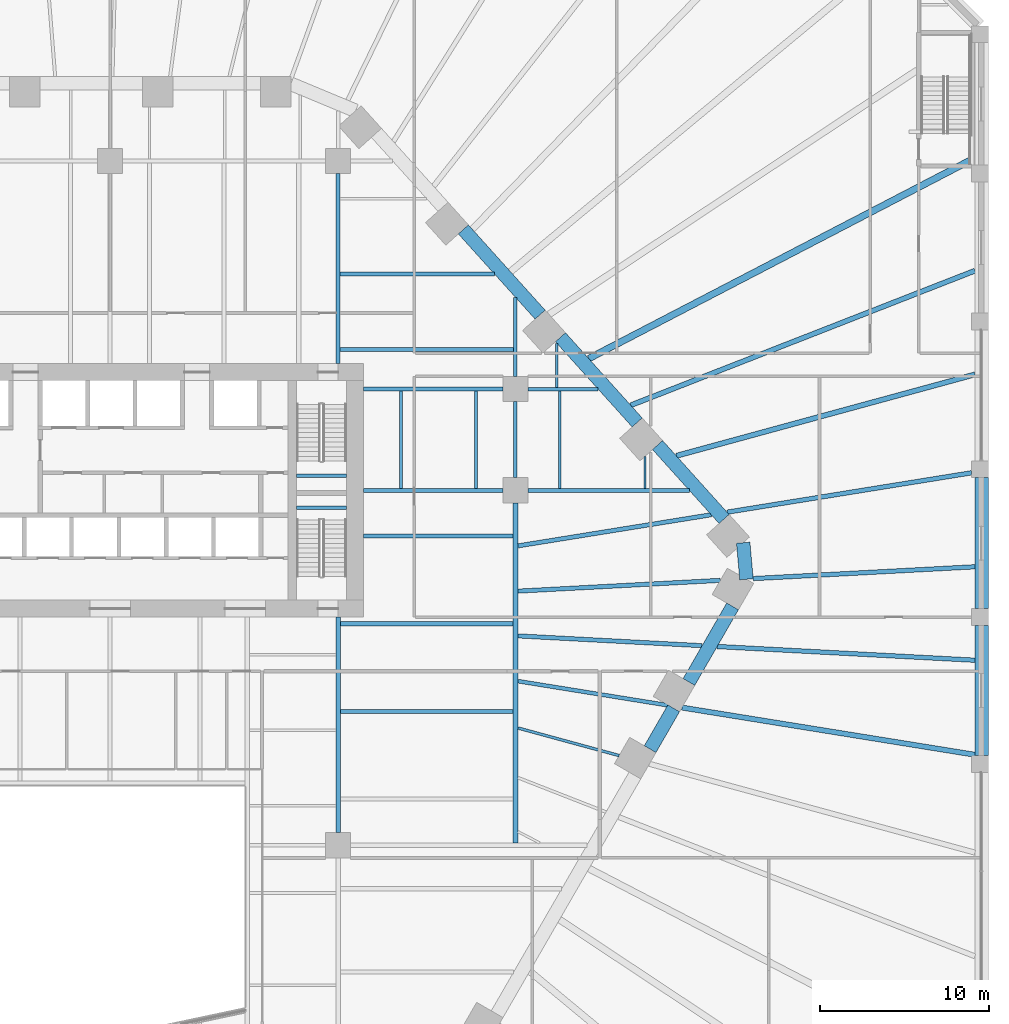
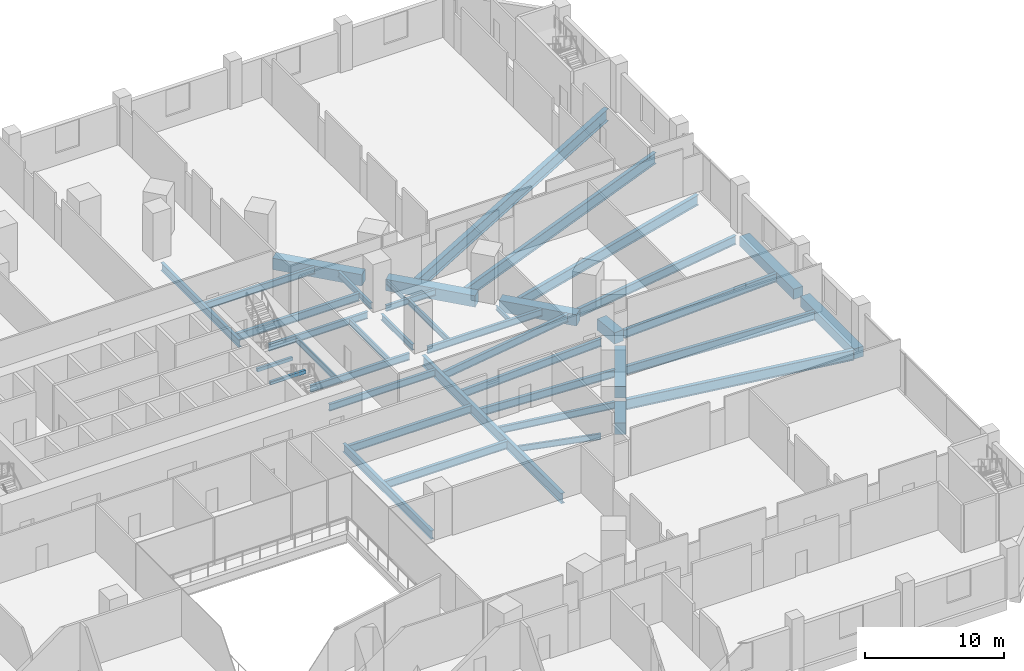
# One storey, part 9 of 29: 41 beams.
"""IFC4 building model written with IfcOpenShell, lengths in metres."""

from ifc_helpers import new_model, si_unit, direction, frame, origin, origin_2d, place, context, subcontext, project, spatial, rectangle, i_section, extrude, material, material_profile, profile_set, type_object, element, save


model = new_model("IFC4")

# Units and contexts
model_context = context("Model", 3, precision=1e-05, world=origin(), true_north=direction((0.0, 1.0)))
body_context = subcontext(model_context, "Body", "Model", "MODEL_VIEW")
ifc_project = project(units=[si_unit("LENGTHUNIT", "METRE"), si_unit("AREAUNIT", "SQUARE_METRE"), si_unit("VOLUMEUNIT", "CUBIC_METRE"), si_unit("PLANEANGLEUNIT", "RADIAN"), si_unit("MASSUNIT", "GRAM", prefix="KILO")], contexts=[model_context])

# Site, building, storey
site_placement = place(None, origin())
site = spatial("IfcSite", under=ifc_project, at=site_placement, CompositionType="ELEMENT")
building_placement = place(site_placement, origin())
building = spatial("IfcBuilding", under=site, at=building_placement, Name="Isthmus Gate Tower", CompositionType="ELEMENT")
storey_placement = place(building_placement, frame((0.0, 0.0, 27.0)))
storey = spatial("IfcBuildingStorey", under=building, at=storey_placement, Name="L04", CompositionType="ELEMENT", Elevation=27.0)

# Beams
ifc_material_1 = material(Name="Concrete f'c 70 MPa", Category="concrete")
ifc_material_profile_1 = material_profile(ifc_material_1, rectangle(XDim=0.800048828125, YDim=0.89990234375, at=origin_2d()), Name="RC 800X900")
ifc_profile_set_1 = profile_set([ifc_material_profile_1], Name="Concrete f'c 70 MPa")
beam_type_1 = type_object("IfcBeamType", Name="RC EDGE BEAM 800 X 900", PredefinedType="BEAM", material=ifc_profile_set_1)
beam_1_placement = place(storey_placement, frame((51.60009765625, 8.25, -0.75), z_axis=(0.0, -1.0, 0.0), x_axis=(1.0, 0.0, 0.0)))
element("IfcBeam", 1, at=beam_1_placement, inside=storey, type_object=beam_type_1, Name="str-edgebeam-L04-23", PredefinedType="BEAM", context=body_context, shape_type="SweptSolid", body=[
    extrude(rectangle(XDim=0.800048828125, YDim=0.89990234375, at=origin_2d()), origin(), (0.0, 0.0, 1.0), 7.75),
])
beam_2_placement = place(storey_placement, frame((51.60009765625, -0.5, -0.75), z_axis=(0.0, -1.0, 0.0), x_axis=(1.0, 0.0, 0.0)))
element("IfcBeam", 2, at=beam_2_placement, inside=storey, type_object=beam_type_1, Name="str-edgebeam-L04-24", PredefinedType="BEAM", context=body_context, shape_type="SweptSolid", body=[
    extrude(rectangle(XDim=0.800048828125, YDim=0.89990234375, at=origin_2d()), origin(), (0.0, 0.0, 1.0), 7.699951171875),
])
ifc_material_2 = material(Name="Concrete f'c 70 MPa", Category="concrete")
ifc_material_profile_2 = material_profile(ifc_material_2, rectangle(XDim=0.800048828125, YDim=1.0, at=origin_2d()), Name="RC 800X1000")
ifc_profile_set_2 = profile_set([ifc_material_profile_2], Name="Concrete f'c 70 MPa")
beam_type_2 = type_object("IfcBeamType", Name="RC TUBE RING BEAM 800 X 1000", PredefinedType="BEAM", material=ifc_profile_set_2)
beam_3_placement = place(storey_placement, frame((20.91748046875, 22.94921875, -0.800048828125), z_axis=(0.669135571547, -0.743140354772, 0.0), x_axis=(0.743140354772, 0.669135571547, 0.0)))
element("IfcBeam", 3, at=beam_3_placement, inside=storey, type_object=beam_type_2, Name="str-ringbeam-L04-02", PredefinedType="BEAM", context=body_context, shape_type="SweptSolid", body=[
    extrude(rectangle(XDim=0.800048828125, YDim=1.0, at=origin_2d()), origin(), (0.0, 0.0, 1.0), 6.789306640625),
])
beam_4_placement = place(storey_placement, frame((26.664794921875, 16.566162109375, -0.800048828125), z_axis=(0.669117690519, -0.743156454748, 0.0), x_axis=(0.743156454748, 0.669117690519, 0.0)))
element("IfcBeam", 4, at=beam_4_placement, inside=storey, type_object=beam_type_2, Name="str-ringbeam-L04-03", PredefinedType="BEAM", context=body_context, shape_type="SweptSolid", body=[
    extrude(rectangle(XDim=0.800048828125, YDim=1.0, at=origin_2d()), origin(), (0.0, 0.0, 1.0), 6.78955078125),
])
beam_5_placement = place(storey_placement, frame((32.412353515625, 10.182861328125, -0.800048828125), z_axis=(0.669138782017, -0.743137464001, 0.0), x_axis=(0.743137464001, 0.669138782017, 0.0)))
element("IfcBeam", 5, at=beam_5_placement, inside=storey, type_object=beam_type_2, Name="str-ringbeam-L04-04", PredefinedType="BEAM", context=body_context, shape_type="SweptSolid", body=[
    extrude(rectangle(XDim=0.800048828125, YDim=1.0, at=origin_2d()), origin(), (0.0, 0.0, 1.0), 5.88916015625),
])
beam_6_placement = place(storey_placement, frame((37.483154296875, 4.40185546875, -0.800048828125), z_axis=(0.089421511639, -0.995993872098, 0.0), x_axis=(0.995993872098, 0.089421511639, 0.0)))
element("IfcBeam", 6, at=beam_6_placement, inside=storey, type_object=beam_type_2, Name="str-ringbeam-L04-05", PredefinedType="BEAM", context=body_context, shape_type="SweptSolid", body=[
    extrude(rectangle(XDim=0.800048828125, YDim=1.0, at=origin_2d()), origin(), (0.0, 0.0, 1.0), 2.17333984375),
])
beam_7_placement = place(storey_placement, frame((36.8544921875, 0.6337890625, -0.800048828125), z_axis=(-0.50000453793, -0.866022783793, 0.0), x_axis=(0.866022783793, -0.50000453793, 0.0)))
element("IfcBeam", 7, at=beam_7_placement, inside=storey, type_object=beam_type_2, Name="str-ringbeam-L04-06", PredefinedType="BEAM", context=body_context, shape_type="SweptSolid", body=[
    extrude(rectangle(XDim=0.800048828125, YDim=1.0, at=origin_2d()), origin(), (0.0, 0.0, 1.0), 5.16943359375),
])
beam_8_placement = place(storey_placement, frame((33.369873046875, -5.40185546875, -0.800048828125), z_axis=(-0.500012514453, -0.866018178441, 0.0), x_axis=(0.866018178441, -0.500012514453, 0.0)))
element("IfcBeam", 8, at=beam_8_placement, inside=storey, type_object=beam_type_2, Name="str-ringbeam-L04-07", PredefinedType="BEAM", context=body_context, shape_type="SweptSolid", body=[
    extrude(rectangle(XDim=0.800048828125, YDim=1.0, at=origin_2d()), origin(), (0.0, 0.0, 1.0), 2.79296875),
])
ifc_material_3 = material(Name="Concrete f'c 40 MPa", Category="concrete")
ifc_material_profile_3 = material_profile(ifc_material_3, rectangle(XDim=0.199951171875, YDim=0.300048828125, at=origin_2d()), Name="STAIR LANDING BEAM RC 200 X 300")
ifc_profile_set_3 = profile_set([ifc_material_profile_3], Name="Concrete f'c 40 MPa")
beam_type_3 = type_object("IfcBeamType", Name="STAIR LANDING BEAM RC 200 X 300", PredefinedType="BEAM", material=ifc_profile_set_3)
for number, where, z_axis, x_axis, name in (
    (9, (11.050048828125, 8.3701171875, 1.89990234375), (1.0, 0.0, 0.0), (0.0, 1.0, 0.0), "L04 ST2 landing beam 1"),
    (10, (11.050048828125, 6.47998046875, 1.89990234375), (1.0, 0.0, 0.0), (0.0, 1.0, 0.0), "L04 ST8 landing beam 1"),
):
    element("IfcBeam", number, at=place(storey_placement, frame(where, z_axis=z_axis, x_axis=x_axis)), inside=storey, type_object=beam_type_3, Name=name, PredefinedType="BEAM", context=body_context, shape_type="SweptSolid", body=[
        extrude(rectangle(XDim=0.199951171875, YDim=0.300048828125, at=origin_2d()), origin(), (0.0, 0.0, 1.0), 2.949951171875),
    ])
ifc_material_4 = material(Name="Structural steel ASTM A992 Gr 50", Category="steel")
ifc_material_profile_4 = material_profile(ifc_material_4, i_section(OverallWidth=0.1396484375, OverallDepth=0.4033203125, WebThickness=0.00634765625, FlangeThickness=0.010986328125, at=origin_2d()), Name="W16X31")
ifc_profile_set_4 = profile_set([ifc_material_profile_4], Name="Structural steel ASTM A992 Gr 50")
beam_type_4 = type_object("IfcBeamType", Name="STEEL FLOOR BEAM W16X31", PredefinedType="JOIST", material=ifc_profile_set_4)
beam_9_placement = place(storey_placement, frame((26.448974609375, 13.604736328125, -0.501708984375), z_axis=(0.0, 1.0, 0.0), x_axis=(-1.0, 0.0, 0.0)))
element("IfcBeam", 11, at=beam_9_placement, inside=storey, type_object=beam_type_4, Name="str-beam-L04-33-00", PredefinedType="JOIST", context=body_context, shape_type="SweptSolid", body=[
    extrude(i_section(OverallWidth=0.1396484375, OverallDepth=0.4033203125, WebThickness=0.00634765625, FlangeThickness=0.010986328125, at=origin_2d()), origin(), (0.0, 0.0, 1.0), 2.603515625),
])
beam_10_placement = place(storey_placement, frame((31.666259765625, 7.6142578125, -0.501708984375), z_axis=(0.0, 1.0, 0.0), x_axis=(-1.0, 0.0, 0.0)))
element("IfcBeam", 12, at=beam_10_placement, inside=storey, type_object=beam_type_4, Name="str-beam-L04-34-01", PredefinedType="JOIST", context=body_context, shape_type="SweptSolid", body=[
    extrude(i_section(OverallWidth=0.1396484375, OverallDepth=0.4033203125, WebThickness=0.00634765625, FlangeThickness=0.010986328125, at=origin_2d()), origin(), (0.0, 0.0, 1.0), 1.89697265625),
])
ifc_material_5 = material(Name="Structural steel ASTM A992 Gr 50", Category="steel")
ifc_material_profile_5 = material_profile(ifc_material_5, i_section(OverallWidth=0.1650390625, OverallDepth=0.52392578125, WebThickness=0.009521484375, FlangeThickness=0.010986328125, at=origin_2d()), Name="W21X44")
ifc_profile_set_5 = profile_set([ifc_material_profile_5], Name="Structural steel ASTM A992 Gr 50")
beam_type_5 = type_object("IfcBeamType", Name="STEEL FLOOR BEAM W21X44", PredefinedType="JOIST", material=ifc_profile_set_5)
beam_11_placement = place(storey_placement, frame((24.15234375, -6.56787109375, -0.56201171875), z_axis=(0.964775626136, -0.26307411734, 0.0), x_axis=(0.26307411734, 0.964775626136, 0.0)))
element("IfcBeam", 13, at=beam_11_placement, inside=storey, type_object=beam_type_5, Name="str-beam-L04-19-67", PredefinedType="JOIST", context=body_context, shape_type="SweptSolid", body=[
    extrude(i_section(OverallWidth=0.1650390625, OverallDepth=0.52392578125, WebThickness=0.009521484375, FlangeThickness=0.010986328125, at=origin_2d()), origin(), (0.0, 0.0, 1.0), 6.203857421875),
])
for number, where, z_axis, x_axis, name in (
    (14, (17.223876953125, 7.6142578125, -0.56201171875), (0.0, 1.0, 0.0), (-1.0, 0.0, 0.0), "str-beam-L04-32-00"),
    (15, (21.67138671875, 7.6142578125, -0.56201171875), (0.0, 1.0, 0.0), (-1.0, 0.0, 0.0), "str-beam-L04-32-01"),
):
    element("IfcBeam", number, at=place(storey_placement, frame(where, z_axis=z_axis, x_axis=x_axis)), inside=storey, type_object=beam_type_5, Name=name, PredefinedType="JOIST", context=body_context, shape_type="SweptSolid", body=[
        extrude(i_section(OverallWidth=0.1650390625, OverallDepth=0.52392578125, WebThickness=0.009521484375, FlangeThickness=0.010986328125, at=origin_2d()), origin(), (0.0, 0.0, 1.0), 5.771484375),
    ])
beam_12_placement = place(storey_placement, frame((26.625244140625, 7.6142578125, -0.56201171875), z_axis=(0.0, 1.0, 0.0), x_axis=(-1.0, 0.0, 0.0)))
element("IfcBeam", 16, at=beam_12_placement, inside=storey, type_object=beam_type_5, Name="str-beam-L04-34-00", PredefinedType="JOIST", context=body_context, shape_type="SweptSolid", body=[
    extrude(i_section(OverallWidth=0.1650390625, OverallDepth=0.52392578125, WebThickness=0.009521484375, FlangeThickness=0.010986328125, at=origin_2d()), origin(), (0.0, 0.0, 1.0), 5.781005859375),
])
ifc_material_6 = material(Name="Structural steel ASTM A992 Gr 50", Category="steel")
ifc_material_profile_6 = material_profile(ifc_material_6, i_section(OverallWidth=0.228515625, OverallDepth=0.603271484375, WebThickness=0.010986328125, FlangeThickness=0.014404296875, at=origin_2d()), Name="W24X68")
ifc_profile_set_6 = profile_set([ifc_material_profile_6], Name="Structural steel ASTM A992 Gr 50")
beam_type_6 = type_object("IfcBeamType", Name="STEEL FLOOR BEAM W24X68", PredefinedType="JOIST", material=ifc_profile_set_6)
beam_13_placement = place(storey_placement, frame((24.15234375, -3.794189453125, -0.6015625), z_axis=(0.98727131628, -0.159045113257, 0.0), x_axis=(0.159045113257, 0.98727131628, 0.0)))
element("IfcBeam", 17, at=beam_13_placement, inside=storey, type_object=beam_type_6, Name="str-beam-L04-19-69", PredefinedType="JOIST", context=body_context, shape_type="SweptSolid", body=[
    extrude(i_section(OverallWidth=0.228515625, OverallDepth=0.603271484375, WebThickness=0.010986328125, FlangeThickness=0.014404296875, at=origin_2d()), origin(), (0.0, 0.0, 1.0), 8.973876953125),
])
beam_14_placement = place(storey_placement, frame((13.626953125, 20.30712890625, -0.6015625), z_axis=(1.0, 0.0, 0.0), x_axis=(0.0, 1.0, 0.0)))
element("IfcBeam", 18, at=beam_14_placement, inside=storey, type_object=beam_type_6, Name="str-beam-L04-29-01", PredefinedType="JOIST", context=body_context, shape_type="SweptSolid", body=[
    extrude(i_section(OverallWidth=0.228515625, OverallDepth=0.603271484375, WebThickness=0.010986328125, FlangeThickness=0.014404296875, at=origin_2d()), origin(), (0.0, 0.0, 1.0), 9.131103515625),
])
beam_15_placement = place(storey_placement, frame((15.0, 4.791748046875, -0.6015625), z_axis=(1.0, 0.0, 0.0), x_axis=(0.0, 1.0, 0.0)))
element("IfcBeam", 19, at=beam_15_placement, inside=storey, type_object=beam_type_6, Name="str-beam-L04-30-03", PredefinedType="JOIST", context=body_context, shape_type="SweptSolid", body=[
    extrude(i_section(OverallWidth=0.228515625, OverallDepth=0.603271484375, WebThickness=0.010986328125, FlangeThickness=0.014404296875, at=origin_2d()), origin(), (0.0, 0.0, 1.0), 8.84765625),
])
ifc_material_7 = material(Name="Structural steel ASTM A992 Gr 50", Category="steel")
ifc_material_profile_7 = material_profile(ifc_material_7, i_section(OverallWidth=0.25390625, OverallDepth=0.679443359375, WebThickness=0.010986328125, FlangeThickness=0.015869140625, at=origin_2d()), Name="W27X84")
ifc_profile_set_7 = profile_set([ifc_material_profile_7], Name="Structural steel ASTM A992 Gr 50")
beam_type_7 = type_object("IfcBeamType", Name="STEEL FLOOR BEAM W27X84", PredefinedType="JOIST", material=ifc_profile_set_7)
beam_16_placement = place(storey_placement, frame((24.15234375, 1.534912109375, -0.6396484375), z_axis=(0.998582796279, 0.053220287265, 0.0), x_axis=(-0.053220287265, 0.998582796279, 0.0)))
element("IfcBeam", 20, at=beam_16_placement, inside=storey, type_object=beam_type_7, Name="str-beam-L04-19-00", PredefinedType="JOIST", context=body_context, shape_type="SweptSolid", body=[
    extrude(i_section(OverallWidth=0.25390625, OverallDepth=0.679443359375, WebThickness=0.010986328125, FlangeThickness=0.015869140625, at=origin_2d()), origin(), (0.0, 0.0, 1.0), 11.991455078125),
])
beam_17_placement = place(storey_placement, frame((24.15234375, 4.214599609375, -0.6396484375), z_axis=(0.987269213365, 0.159058166537, 0.0), x_axis=(-0.159058166537, 0.987269213365, 0.0)))
element("IfcBeam", 21, at=beam_17_placement, inside=storey, type_object=beam_type_7, Name="str-beam-L04-19-02", PredefinedType="JOIST", context=body_context, shape_type="SweptSolid", body=[
    extrude(i_section(OverallWidth=0.25390625, OverallDepth=0.679443359375, WebThickness=0.010986328125, FlangeThickness=0.015869140625, at=origin_2d()), origin(), (0.0, 0.0, 1.0), 11.583984375),
])
beam_18_placement = place(storey_placement, frame((24.15234375, -1.114501953125, -0.6396484375), z_axis=(0.998583373886, -0.053209448398, 0.0), x_axis=(0.053209448398, 0.998583373886, 0.0)))
element("IfcBeam", 22, at=beam_18_placement, inside=storey, type_object=beam_type_7, Name="str-beam-L04-19-71", PredefinedType="JOIST", context=body_context, shape_type="SweptSolid", body=[
    extrude(i_section(OverallWidth=0.25390625, OverallDepth=0.679443359375, WebThickness=0.010986328125, FlangeThickness=0.015869140625, at=origin_2d()), origin(), (0.0, 0.0, 1.0), 10.910888671875),
])
beam_19_placement = place(storey_placement, frame((13.626953125, 15.84521484375, -0.6396484375), z_axis=(1.0, 0.0, 0.0), x_axis=(0.0, 1.0, 0.0)))
element("IfcBeam", 23, at=beam_19_placement, inside=storey, type_object=beam_type_7, Name="str-beam-L04-29-00", PredefinedType="JOIST", context=body_context, shape_type="SweptSolid", body=[
    extrude(i_section(OverallWidth=0.25390625, OverallDepth=0.679443359375, WebThickness=0.010986328125, FlangeThickness=0.015869140625, at=origin_2d()), origin(), (0.0, 0.0, 1.0), 10.268310546875),
])
for number, where, z_axis, x_axis, name in (
    (24, (13.6318359375, -5.58447265625, -0.6396484375), (1.0, 0.0, 0.0), (0.0, 1.0, 0.0), "str-beam-L04-30-01"),
    (25, (13.6318359375, -0.396484375, -0.6396484375), (1.0, 0.0, 0.0), (0.0, 1.0, 0.0), "str-beam-L04-30-02"),
):
    element("IfcBeam", number, at=place(storey_placement, frame(where, z_axis=z_axis, x_axis=x_axis)), inside=storey, type_object=beam_type_7, Name=name, PredefinedType="JOIST", context=body_context, shape_type="SweptSolid", body=[
        extrude(i_section(OverallWidth=0.25390625, OverallDepth=0.679443359375, WebThickness=0.010986328125, FlangeThickness=0.015869140625, at=origin_2d()), origin(), (0.0, 0.0, 1.0), 10.2158203125),
    ])
ifc_material_8 = material(Name="Structural steel ASTM A992 Gr 50", Category="steel")
ifc_material_profile_8 = material_profile(ifc_material_8, i_section(OverallWidth=0.2666015625, OverallDepth=0.7587890625, WebThickness=0.014404296875, FlangeThickness=0.01904296875, at=origin_2d()), Name="W30X108")
ifc_profile_set_8 = profile_set([ifc_material_profile_8], Name="Structural steel ASTM A992 Gr 50")
beam_type_8 = type_object("IfcBeamType", Name="STEEL FLOOR BEAM W30X108", PredefinedType="JOIST", material=ifc_profile_set_8)
beam_20_placement = place(storey_placement, frame((36.529052734375, 6.208740234375, -0.679443359375), z_axis=(0.987267713059, 0.159067478611, 0.0), x_axis=(-0.159067478611, 0.987267713059, 0.0)))
element("IfcBeam", 26, at=beam_20_placement, inside=storey, type_object=beam_type_8, Name="str-beam-L04-19-03", PredefinedType="JOIST", context=body_context, shape_type="SweptSolid", body=[
    extrude(i_section(OverallWidth=0.2666015625, OverallDepth=0.7587890625, WebThickness=0.014404296875, FlangeThickness=0.01904296875, at=origin_2d()), origin(), (0.0, 0.0, 1.0), 14.657470703125),
])
beam_21_placement = place(storey_placement, frame((35.944091796875, -1.742919921875, -0.679443359375), z_axis=(0.99858309274, -0.053214724408, 0.0), x_axis=(0.053214724408, 0.99858309274, 0.0)))
element("IfcBeam", 27, at=beam_21_placement, inside=storey, type_object=beam_type_8, Name="str-beam-L04-19-72", PredefinedType="JOIST", context=body_context, shape_type="SweptSolid", body=[
    extrude(i_section(OverallWidth=0.2666015625, OverallDepth=0.7587890625, WebThickness=0.014404296875, FlangeThickness=0.01904296875, at=origin_2d()), origin(), (0.0, 0.0, 1.0), 15.277587890625),
])
ifc_material_9 = material(Name="Structural steel ASTM A992 Gr 50", Category="steel")
ifc_material_profile_9 = material_profile(ifc_material_9, i_section(OverallWidth=0.263427734375, OverallDepth=0.749267578125, WebThickness=0.0126953125, FlangeThickness=0.015869140625, at=origin_2d()), Name="W30X90")
ifc_profile_set_9 = profile_set([ifc_material_profile_9], Name="Structural steel ASTM A992 Gr 50")
beam_type_9 = type_object("IfcBeamType", Name="STEEL FLOOR BEAM W30X90", PredefinedType="JOIST", material=ifc_profile_set_9)
beam_22_placement = place(storey_placement, frame((38.075439453125, 2.277099609375, -0.674560546875), z_axis=(0.998582871897, 0.05321886841, 0.0), x_axis=(-0.05321886841, 0.998582871897, 0.0)))
element("IfcBeam", 28, at=beam_22_placement, inside=storey, type_object=beam_type_9, Name="str-beam-L04-19-01", PredefinedType="JOIST", context=body_context, shape_type="SweptSolid", body=[
    extrude(i_section(OverallWidth=0.263427734375, OverallDepth=0.749267578125, WebThickness=0.0126953125, FlangeThickness=0.015869140625, at=origin_2d()), origin(), (0.0, 0.0, 1.0), 13.14306640625),
])
ifc_material_10 = material(Name="Structural steel ASTM A992 Gr 50", Category="steel")
ifc_material_profile_10 = material_profile(ifc_material_10, i_section(OverallWidth=0.3046875, OverallDepth=0.901611328125, WebThickness=0.015869140625, FlangeThickness=0.0205078125, at=origin_2d()), Name="W36X135")
ifc_profile_set_10 = profile_set([ifc_material_profile_10], Name="Structural steel ASTM A992 Gr 50")
beam_type_10 = type_object("IfcBeamType", Name="STEEL FLOOR BEAM W36X135", PredefinedType="JOIST", material=ifc_profile_set_10)
beam_23_placement = place(storey_placement, frame((33.525390625, 9.54443359375, -0.750732421875), z_axis=(0.964767511541, 0.263103874306, 0.0), x_axis=(-0.263103874306, 0.964767511541, 0.0)))
element("IfcBeam", 29, at=beam_23_placement, inside=storey, type_object=beam_type_10, Name="str-beam-L04-19-04", PredefinedType="JOIST", context=body_context, shape_type="SweptSolid", body=[
    extrude(i_section(OverallWidth=0.3046875, OverallDepth=0.901611328125, WebThickness=0.015869140625, FlangeThickness=0.0205078125, at=origin_2d()), origin(), (0.0, 0.0, 1.0), 18.320068359375),
])
beam_24_placement = place(storey_placement, frame((33.857177734375, -5.357666015625, -0.750732421875), z_axis=(0.987268240171, -0.159064207004, 0.0), x_axis=(0.159064207004, 0.987268240171, 0.0)))
element("IfcBeam", 30, at=beam_24_placement, inside=storey, type_object=beam_type_10, Name="str-beam-L04-19-70", PredefinedType="JOIST", context=body_context, shape_type="SweptSolid", body=[
    extrude(i_section(OverallWidth=0.3046875, OverallDepth=0.901611328125, WebThickness=0.015869140625, FlangeThickness=0.0205078125, at=origin_2d()), origin(), (0.0, 0.0, 1.0), 17.56640625),
])
ifc_material_11 = material(Name="Structural steel ASTM A992 Gr 50", Category="steel")
ifc_material_profile_11 = material_profile(ifc_material_11, i_section(OverallWidth=0.29833984375, OverallDepth=0.981201171875, WebThickness=0.015869140625, FlangeThickness=0.025390625, at=origin_2d()), Name="W40X167")
ifc_profile_set_11 = profile_set([ifc_material_profile_11], Name="Structural steel ASTM A992 Gr 50")
beam_type_11 = type_object("IfcBeamType", Name="STEEL FLOOR BEAM W40X167", PredefinedType="JOIST", material=ifc_profile_set_11)
beam_25_placement = place(storey_placement, frame((30.8291015625, 12.5390625, -0.79052734375), z_axis=(0.931333820362, 0.364166603424, 0.0), x_axis=(-0.364166603424, 0.931333820362, 0.0)))
element("IfcBeam", 31, at=beam_25_placement, inside=storey, type_object=beam_type_11, Name="str-beam-L04-19-05", PredefinedType="JOIST", context=body_context, shape_type="SweptSolid", body=[
    extrude(i_section(OverallWidth=0.29833984375, OverallDepth=0.981201171875, WebThickness=0.015869140625, FlangeThickness=0.025390625, at=origin_2d()), origin(), (0.0, 0.0, 1.0), 21.872802734375),
])
ifc_material_12 = material(Name="Structural steel ASTM A992 Gr 50", Category="steel")
ifc_material_profile_12 = material_profile(ifc_material_12, i_section(OverallWidth=0.39990234375, OverallDepth=1.089111328125, WebThickness=0.017578125, FlangeThickness=0.03173828125, at=origin_2d()), Name="W44X230")
ifc_profile_set_12 = profile_set([ifc_material_profile_12], Name="Structural steel ASTM A992 Gr 50")
beam_type_12 = type_object("IfcBeamType", Name="STEEL FLOOR BEAM W44X230", PredefinedType="JOIST", material=ifc_profile_set_12)
beam_26_placement = place(storey_placement, frame((28.34130859375, 15.302001953125, -0.844482421875), z_axis=(0.887352469362, 0.461091742624, 0.0), x_axis=(-0.461091742624, 0.887352469362, 0.0)))
element("IfcBeam", 32, at=beam_26_placement, inside=storey, type_object=beam_type_12, Name="str-beam-L04-19-06", PredefinedType="JOIST", context=body_context, shape_type="SweptSolid", body=[
    extrude(i_section(OverallWidth=0.39990234375, OverallDepth=1.089111328125, WebThickness=0.017578125, FlangeThickness=0.03173828125, at=origin_2d()), origin(), (0.0, 0.0, 1.0), 25.478759765625),
])
ifc_material_13 = material(Name="Structural steel ASTM A992 Gr 50", Category="steel")
ifc_material_profile_13 = material_profile(ifc_material_13, i_section(OverallWidth=0.20947265625, OverallDepth=0.533447265625, WebThickness=0.009521484375, FlangeThickness=0.015869140625, at=origin_2d()), Name="W21X62")
ifc_profile_set_13 = profile_set([ifc_material_profile_13], Name="Structural steel ASTM A992 Gr 50")
beam_type_13 = type_object("IfcBeamType", Name="STEEL GIRDER W21X62", PredefinedType="BEAM", material=ifc_profile_set_13)
beam_27_placement = place(storey_placement, frame((24.75, 13.5, -0.566650390625), z_axis=(1.0, 0.0, 0.0), x_axis=(0.0, 1.0, 0.0)))
element("IfcBeam", 33, at=beam_27_placement, inside=storey, type_object=beam_type_13, Name="str-girder-L04-15", PredefinedType="BEAM", context=body_context, shape_type="SweptSolid", body=[
    extrude(i_section(OverallWidth=0.20947265625, OverallDepth=0.533447265625, WebThickness=0.009521484375, FlangeThickness=0.015869140625, at=origin_2d()), origin(), (0.0, 0.0, 1.0), 4.13720703125),
])
beam_28_placement = place(storey_placement, frame((24.0, 8.25, -0.566650390625), z_axis=(0.0, 1.0, 0.0), x_axis=(-1.0, 0.0, 0.0)))
element("IfcBeam", 34, at=beam_28_placement, inside=storey, type_object=beam_type_13, Name="str-girder-L04-36", PredefinedType="BEAM", context=body_context, shape_type="SweptSolid", body=[
    extrude(i_section(OverallWidth=0.20947265625, OverallDepth=0.533447265625, WebThickness=0.009521484375, FlangeThickness=0.015869140625, at=origin_2d()), origin(), (0.0, 0.0, 1.0), 4.5),
])
beam_29_placement = place(storey_placement, frame((24.0, 14.25, -0.566650390625), z_axis=(0.0, 1.0, 0.0), x_axis=(-1.0, 0.0, 0.0)))
element("IfcBeam", 35, at=beam_29_placement, inside=storey, type_object=beam_type_13, Name="str-girder-L04-37", PredefinedType="BEAM", context=body_context, shape_type="SweptSolid", body=[
    extrude(i_section(OverallWidth=0.20947265625, OverallDepth=0.533447265625, WebThickness=0.009521484375, FlangeThickness=0.015869140625, at=origin_2d()), origin(), (0.0, 0.0, 1.0), 4.677978515625),
])
ifc_material_14 = material(Name="Structural steel ASTM A992 Gr 50", Category="steel")
ifc_material_profile_14 = material_profile(ifc_material_14, i_section(OverallWidth=0.228515625, OverallDepth=0.6064453125, WebThickness=0.010986328125, FlangeThickness=0.017578125, at=origin_2d()), Name="W24X76")
ifc_profile_set_14 = profile_set([ifc_material_profile_14], Name="Structural steel ASTM A992 Gr 50")
beam_type_14 = type_object("IfcBeamType", Name="STEEL GIRDER W24X76", PredefinedType="BEAM", material=ifc_profile_set_14)
beam_30_placement = place(storey_placement, frame((15.0, 7.5, -0.603271484375), z_axis=(1.0, 0.0, 0.0), x_axis=(0.0, 1.0, 0.0)))
element("IfcBeam", 36, at=beam_30_placement, inside=storey, type_object=beam_type_14, Name="str-girder-L04-11", PredefinedType="BEAM", context=body_context, shape_type="SweptSolid", body=[
    extrude(i_section(OverallWidth=0.228515625, OverallDepth=0.6064453125, WebThickness=0.010986328125, FlangeThickness=0.017578125, at=origin_2d()), origin(), (0.0, 0.0, 1.0), 8.25),
])
beam_31_placement = place(storey_placement, frame((24.75, 7.5, -0.603271484375), z_axis=(1.0, 0.0, 0.0), x_axis=(0.0, 1.0, 0.0)))
element("IfcBeam", 37, at=beam_31_placement, inside=storey, type_object=beam_type_14, Name="str-girder-L04-12", PredefinedType="BEAM", context=body_context, shape_type="SweptSolid", body=[
    extrude(i_section(OverallWidth=0.228515625, OverallDepth=0.6064453125, WebThickness=0.010986328125, FlangeThickness=0.017578125, at=origin_2d()), origin(), (0.0, 0.0, 1.0), 9.539794921875),
])
beam_32_placement = place(storey_placement, frame((15.0, 13.5, -0.603271484375), z_axis=(1.0, 0.0, 0.0), x_axis=(0.0, 1.0, 0.0)))
element("IfcBeam", 38, at=beam_32_placement, inside=storey, type_object=beam_type_14, Name="str-girder-L04-14", PredefinedType="BEAM", context=body_context, shape_type="SweptSolid", body=[
    extrude(i_section(OverallWidth=0.228515625, OverallDepth=0.6064453125, WebThickness=0.010986328125, FlangeThickness=0.017578125, at=origin_2d()), origin(), (0.0, 0.0, 1.0), 8.25),
])
ifc_material_15 = material(Name="Structural steel ASTM A992 Gr 50", Category="steel")
ifc_material_profile_15 = material_profile(ifc_material_15, i_section(OverallWidth=0.25390625, OverallDepth=0.679443359375, WebThickness=0.010986328125, FlangeThickness=0.015869140625, at=origin_2d()), Name="W27X84")
ifc_profile_set_15 = profile_set([ifc_material_profile_15], Name="Structural steel ASTM A992 Gr 50")
beam_type_15 = type_object("IfcBeamType", Name="STEEL GIRDER W27X84", PredefinedType="BEAM", material=ifc_profile_set_15)
beam_33_placement = place(storey_placement, frame((13.5, 15.0, -0.6396484375), z_axis=(0.0, 1.0, 0.0), x_axis=(-1.0, 0.0, 0.0)))
element("IfcBeam", 39, at=beam_33_placement, inside=storey, type_object=beam_type_15, Name="str-girder-L04-33", PredefinedType="BEAM", context=body_context, shape_type="SweptSolid", body=[
    extrude(i_section(OverallWidth=0.25390625, OverallDepth=0.679443359375, WebThickness=0.010986328125, FlangeThickness=0.015869140625, at=origin_2d()), origin(), (0.0, 0.0, 1.0), 11.25),
])
ifc_material_16 = material(Name="Structural steel ASTM A992 Gr 50", Category="steel")
ifc_material_profile_16 = material_profile(ifc_material_16, i_section(OverallWidth=0.263427734375, OverallDepth=0.749267578125, WebThickness=0.0126953125, FlangeThickness=0.015869140625, at=origin_2d()), Name="W30X90")
ifc_profile_set_16 = profile_set([ifc_material_profile_16], Name="Structural steel ASTM A992 Gr 50")
beam_type_16 = type_object("IfcBeamType", Name="STEEL GIRDER W30X90", PredefinedType="BEAM", material=ifc_profile_set_16)
beam_34_placement = place(storey_placement, frame((13.5, -12.75, -0.674560546875), z_axis=(0.0, 1.0, 0.0), x_axis=(-1.0, 0.0, 0.0)))
element("IfcBeam", 40, at=beam_34_placement, inside=storey, type_object=beam_type_16, Name="str-girder-L04-32", PredefinedType="BEAM", context=body_context, shape_type="SweptSolid", body=[
    extrude(i_section(OverallWidth=0.263427734375, OverallDepth=0.749267578125, WebThickness=0.0126953125, FlangeThickness=0.015869140625, at=origin_2d()), origin(), (0.0, 0.0, 1.0), 12.75),
])
ifc_material_17 = material(Name="Structural steel ASTM A992 Gr 50", Category="steel")
ifc_material_profile_17 = material_profile(ifc_material_17, i_section(OverallWidth=0.3046875, OverallDepth=0.914306640625, WebThickness=0.015869140625, FlangeThickness=0.025390625, at=origin_2d()), Name="W36X160")
ifc_profile_set_17 = profile_set([ifc_material_profile_17], Name="Structural steel ASTM A992 Gr 50")
beam_type_17 = type_object("IfcBeamType", Name="STEEL GIRDER W36X160", PredefinedType="BEAM", material=ifc_profile_set_17)
beam_35_placement = place(storey_placement, frame((24.0, -13.36669921875, -0.757080078125), z_axis=(0.0, 1.0, 0.0), x_axis=(-1.0, 0.0, 0.0)))
element("IfcBeam", 41, at=beam_35_placement, inside=storey, type_object=beam_type_17, Name="str-girder-L04-35", PredefinedType="BEAM", context=body_context, shape_type="SweptSolid", body=[
    extrude(i_section(OverallWidth=0.3046875, OverallDepth=0.914306640625, WebThickness=0.015869140625, FlangeThickness=0.025390625, at=origin_2d()), origin(), (0.0, 0.0, 1.0), 20.11669921875),
])

save(model, "model.ifc")
